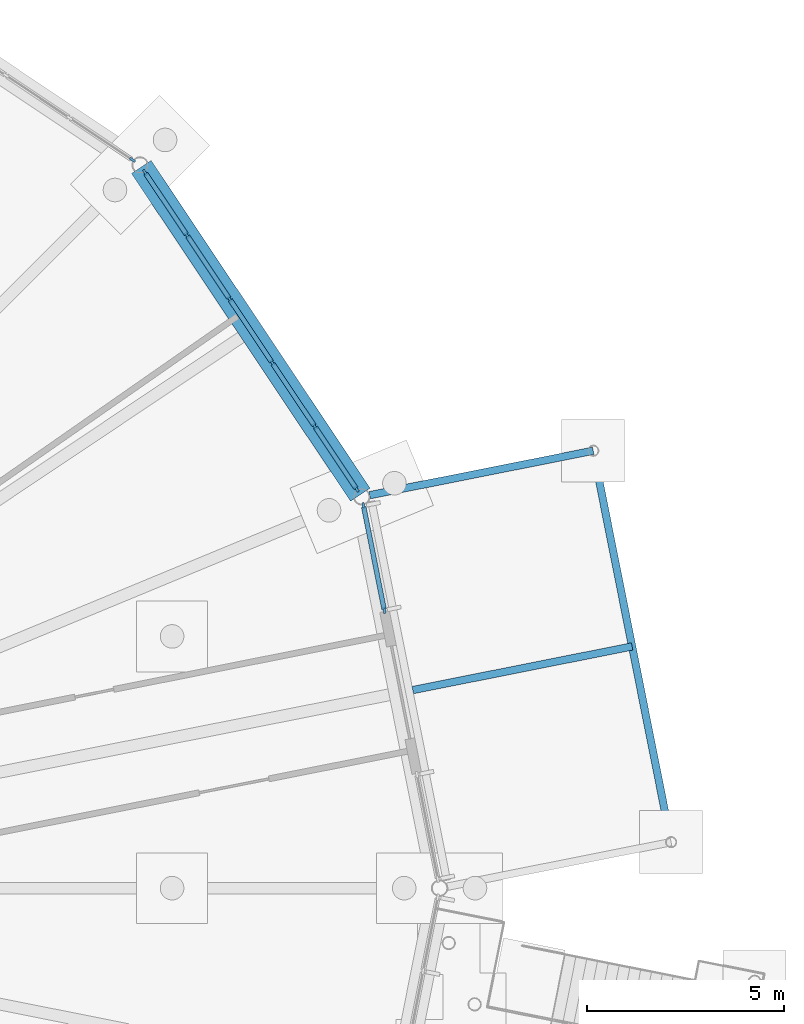
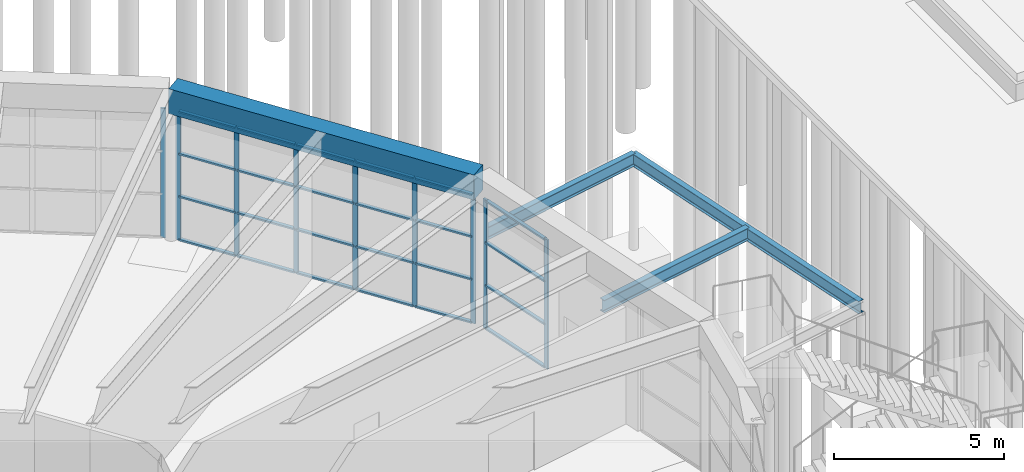
# One storey, part 99 of 226: 33 members, 4 beams, 3 elements without a shape of their own.
"""IFC4 building model written with IfcOpenShell, lengths in metres."""

import ifcopenshell
import ifcopenshell.guid

model = None  # the IFC model being written
_history = None  # IfcOwnerHistory: only IFC2X3 demands one
_inside = {}  # id of a spatial element -> (the spatial element, [elements in it])
_under = {}  # id of a project, library or spatial element -> (it, [spatial elements below it])
_declared = {}  # id of a project -> (the project, [libraries it declares])
_typed = {}  # id of a type object -> (the type object, [elements of that type])
_made_of = {}  # id of a material, layer set ... -> (it, [elements and type objects made of it])


def new_model(schema):
    """Start an empty IFC model of exactly this schema.

    Asked for "IFC4X3", IfcOpenShell would pick the latest addendum, in which some entities
    have other attributes; the version numbers below select the first issue.
    IFC2X3 requires an IfcOwnerHistory on every rooted entity: one is made here for all.
    """
    global model, _history
    if schema == "IFC4X3":
        model = ifcopenshell.file(schema_version=(4, 3, 0, 0))
    else:
        model = ifcopenshell.file(schema=schema)
    _inside.clear()
    _under.clear()
    _declared.clear()
    _typed.clear()
    _made_of.clear()
    _history = None
    if model.schema == "IFC2X3":
        org = make("IfcOrganization", Name="unknown")
        user = make(
            "IfcPersonAndOrganization",
            ThePerson=make("IfcPerson", FamilyName="unknown"),
            TheOrganization=org,
        )
        app = make(
            "IfcApplication",
            ApplicationDeveloper=org,
            Version="unknown",
            ApplicationFullName="unknown",
            ApplicationIdentifier="unknown",
        )
        _history = make(
            "IfcOwnerHistory",
            OwningUser=user,
            OwningApplication=app,
            ChangeAction="ADDED",
            CreationDate=0,
        )
    return model


def make(cls, **values):
    """One entity of the class cls with the attributes given. An attribute that is None is left unset."""
    return model.create_entity(
        cls, **{name: value for name, value in values.items() if value is not None}
    )


def rooted(cls, **values):
    """An entity with a GlobalId (a new one), such as an element, a storey or a relation."""
    return make(cls, GlobalId=ifcopenshell.guid.new(), OwnerHistory=_history, **values)


def si_unit(unit_type, name, prefix=None):
    """IfcSIUnit, for example si_unit("LENGTHUNIT", "METRE", prefix="MILLI")."""
    return make("IfcSIUnit", UnitType=unit_type, Prefix=prefix, Name=name)


def assignment(units):
    """IfcUnitAssignment: the units of a project."""
    return None if units is None else make("IfcUnitAssignment", Units=units)


def point(xyz):
    """IfcCartesianPoint."""
    return None if xyz is None else make("IfcCartesianPoint", Coordinates=xyz)


def direction(xyz):
    """IfcDirection."""
    return None if xyz is None else make("IfcDirection", DirectionRatios=xyz)


def frame(location, z_axis=None, x_axis=None):
    """IfcAxis2Placement3D, a coordinate frame: its origin and axes. An axis left out is left unset."""
    return make(
        "IfcAxis2Placement3D",
        Location=point(location),
        Axis=direction(z_axis),
        RefDirection=direction(x_axis),
    )


def frame_2d(location, x_axis=None):
    """IfcAxis2Placement2D, a coordinate frame in the plane: its origin and x axis."""
    return make(
        "IfcAxis2Placement2D", Location=point(location), RefDirection=direction(x_axis)
    )


def origin():
    """The frame at (0, 0, 0) with its axes left unset."""
    return frame((0.0, 0.0, 0.0))


def origin_2d():
    """The frame at (0, 0) in the plane with its x axis left unset."""
    return frame_2d((0.0, 0.0))


def place(relative_to, where):
    """IfcLocalPlacement: puts the frame where relative to a parent placement (None: the world)."""
    return make(
        "IfcLocalPlacement", PlacementRelTo=relative_to, RelativePlacement=where
    )


def context(
    kind, dimensions, precision=None, world=None, true_north=None, identifier=None
):
    """IfcGeometricRepresentationContext, for example the 3D "Model" context."""
    return make(
        "IfcGeometricRepresentationContext",
        ContextIdentifier=identifier,
        ContextType=kind,
        CoordinateSpaceDimension=dimensions,
        Precision=precision,
        WorldCoordinateSystem=world,
        TrueNorth=true_north,
    )


def subcontext(parent, identifier, kind, view, scale=None):
    """IfcGeometricRepresentationSubContext, for example "Body" below "Model"."""
    return make(
        "IfcGeometricRepresentationSubContext",
        ContextIdentifier=identifier,
        ContextType=kind,
        ParentContext=parent,
        TargetScale=scale,
        TargetView=view,
    )


def project(units=None, contexts=None):
    """IfcProject with its units and contexts."""
    return rooted(
        "IfcProject",
        Name="project",
        RepresentationContexts=contexts,
        UnitsInContext=assignment(units),
    )


def spatial(cls, under=None, at=None, **own):
    """A site, building, storey or space (cls), placed at a placement, below another one or the project."""
    s = rooted(cls, ObjectPlacement=at, **own)
    if under is not None:
        _under.setdefault(under.id(), (under, []))[1].append(s)
    return s


def profile(cls, at=None, kind="AREA", **sizes):
    """A parametric profile (cls). Its sizes go by their IFC names, for example OverallWidth=200.0."""
    return make(cls, ProfileType=kind, Position=at, **sizes)


def rectangle(**sizes):
    """IfcRectangleProfileDef."""
    return profile("IfcRectangleProfileDef", **sizes)


def i_section(**sizes):
    """IfcIShapeProfileDef."""
    return profile("IfcIShapeProfileDef", **sizes)


def extrude(swept, where, along, depth):
    """IfcExtrudedAreaSolid: the profile swept, set in the frame where, extruded along a direction by depth."""
    return make(
        "IfcExtrudedAreaSolid",
        SweptArea=swept,
        Position=where,
        ExtrudedDirection=direction(along),
        Depth=depth,
    )


def shape(context_of_items, identifier, shape_type, items):
    """IfcShapeRepresentation: the items that make up one representation, for example the "Body"."""
    return make(
        "IfcShapeRepresentation",
        ContextOfItems=context_of_items,
        RepresentationIdentifier=identifier,
        RepresentationType=shape_type,
        Items=items,
    )


def material(Name=None, Category=None):
    """IfcMaterial."""
    return make("IfcMaterial", Name=Name, Category=Category)


def material_profile(
    of_material, cross_section, Name=None, Category=None, Priority=None
):
    """IfcMaterialProfile: a cross section and its material."""
    return make(
        "IfcMaterialProfile",
        Name=Name,
        Material=of_material,
        Profile=cross_section,
        Priority=Priority,
        Category=Category,
    )


def profile_set(profiles, Name=None, composite=None):
    """IfcMaterialProfileSet."""
    return make(
        "IfcMaterialProfileSet",
        Name=Name,
        MaterialProfiles=profiles,
        CompositeProfile=composite,
    )


def made_of(thing, what):
    """Note that an element or type object is made of a material, layer set ...; save() writes the relation."""
    if what is not None:
        _made_of.setdefault(what.id(), (what, []))[1].append(thing)
    return thing


def type_object(cls, material=None, **own):
    """A type object (cls), such as IfcWallType, which elements share."""
    return made_of(rooted(cls, **own), material)


def element(
    cls,
    number,
    at=None,
    inside=None,
    cuts=None,
    type_object=None,
    material=None,
    context=None,
    identifier="Body",
    shape_type=None,
    held_by="IfcProductDefinitionShape",
    body=None,
    shapes=None,
    **own,
):
    """One element of the class cls, such as IfcWall. Its Tag is "e" and its number.

    at: its placement. inside: the storey or other place that contains it. cuts: it is an
    opening in that element (IfcRelVoidsElement). A single representation is given by context,
    identifier, shape_type and body (its items); several are given by shapes. held_by: the class
    of the entity that holds the representations. save() writes the other relations.
    """
    e = rooted(cls, Tag="e%d" % number, ObjectPlacement=at, **own)
    if body is not None:
        shapes = [shape(context, identifier, shape_type, body)]
    if shapes is not None:
        e.Representation = make(held_by, Representations=shapes)
    if inside is not None:
        _inside.setdefault(inside.id(), (inside, []))[1].append(e)
    if cuts is not None:
        rooted(
            "IfcRelVoidsElement", RelatingBuildingElement=cuts, RelatedOpeningElement=e
        )
    if type_object is not None:
        _typed.setdefault(type_object.id(), (type_object, []))[1].append(e)
    return made_of(e, material)


def aggregate(whole, parts):
    """IfcRelAggregates: a whole, such as a stair, and the parts it consists of."""
    return rooted("IfcRelAggregates", RelatingObject=whole, RelatedObjects=parts)


def save(model, path):
    """Write the relations noted so far, then the file.

    IfcRelAggregates (storeys below a building ...), IfcRelContainedInSpatialStructure (elements
    in a storey), IfcRelDefinesByType, IfcRelAssociatesMaterial and IfcRelDeclares: one each for
    every whole, place, type object, material and project.
    """
    for whole, parts in _under.values():
        aggregate(whole, parts)
    for where, things in _inside.values():
        rooted(
            "IfcRelContainedInSpatialStructure",
            RelatedElements=things,
            RelatingStructure=where,
        )
    for kind, things in _typed.values():
        rooted("IfcRelDefinesByType", RelatedObjects=things, RelatingType=kind)
    for what, things in _made_of.values():
        rooted("IfcRelAssociatesMaterial", RelatedObjects=things, RelatingMaterial=what)
    for by, libraries in _declared.values():
        rooted("IfcRelDeclares", RelatingContext=by, RelatedDefinitions=libraries)
    model.write(path)


model = new_model("IFC4")

# Units and contexts
model_context = context("Model", 3, precision=1e-05, world=origin(), true_north=direction((0.0, 1.0)))
body_context = subcontext(model_context, "Body", "Model", "MODEL_VIEW")
ifc_project = project(units=[si_unit("LENGTHUNIT", "METRE"), si_unit("AREAUNIT", "SQUARE_METRE"), si_unit("VOLUMEUNIT", "CUBIC_METRE"), si_unit("PLANEANGLEUNIT", "RADIAN"), si_unit("MASSUNIT", "GRAM", prefix="KILO")], contexts=[model_context])

# Site, building, storey
site_placement = place(None, origin())
site = spatial("IfcSite", under=ifc_project, at=site_placement, CompositionType="ELEMENT")
building_placement = place(site_placement, origin())
building = spatial("IfcBuilding", under=site, at=building_placement, Name="Ceibo Conservatory and Research Tower", CompositionType="ELEMENT")
storey_placement = place(building_placement, origin())
storey = spatial("IfcBuildingStorey", under=building, at=storey_placement, Name="L00", CompositionType="ELEMENT", Elevation=0.0)

# Curtain wall, members
ifc_material_1 = material(Name="Aluminium and glass", Category="aluminium")
curtain_wall_type = type_object("IfcCurtainWallType", Name="Pavilion curtain wall", PredefinedType="NOTDEFINED", material=ifc_material_1)
curtain_wall_1_placement = place(storey_placement, origin())
curtain_wall_1 = element("IfcCurtainWall", 1, at=curtain_wall_1_placement, inside=storey, type_object=curtain_wall_type, Name="Pavilion curtain wall VC-CW01E", PredefinedType="NOTDEFINED")
ifc_material_2 = material(Name="Aluminium", Category="aluminium")
ifc_material_profile_1 = material_profile(ifc_material_2, rectangle(XDim=0.06005859375, YDim=0.159912109375, at=origin_2d()), Name="AL 60x160")
ifc_profile_set_1 = profile_set([ifc_material_profile_1], Name="Aluminium")
member_type_1 = type_object("IfcMemberType", Name="Pavilion mullion 60x160", PredefinedType="MULLION", material=ifc_profile_set_1)
member_1_placement = place(storey_placement, frame((192.594970703125, 43.06396484375, 0.0), z_axis=(0.0, 0.0, 1.0), x_axis=(-0.980785282416, -0.195090311899, 0.0)))
member_1 = element("IfcMember", 2, at=member_1_placement, type_object=member_type_1, Name="VC-CW01E mullion 1", PredefinedType="MULLION", context=body_context, shape_type="SweptSolid", body=[
    extrude(rectangle(XDim=0.06005859375, YDim=0.159912109375, at=origin_2d()), origin(), (0.0, 0.0, 1.0), 4.64892578125),
])
member_2_placement = place(storey_placement, frame((192.06640625, 45.720947265625, 0.0), z_axis=(0.0, 0.0, 1.0), x_axis=(-0.980785282416, -0.195090311899, 0.0)))
member_2 = element("IfcMember", 3, at=member_2_placement, type_object=member_type_1, Name="VC-CW01E mullion 2", PredefinedType="MULLION", context=body_context, shape_type="SweptSolid", body=[
    extrude(rectangle(XDim=0.06005859375, YDim=0.159912109375, at=origin_2d()), origin(), (0.0, 0.0, 1.0), 4.64892578125),
])

curtain_wall_2_placement = place(storey_placement, origin())
curtain_wall_2 = element("IfcCurtainWall", 4, at=curtain_wall_2_placement, inside=storey, type_object=curtain_wall_type, Name="Pavilion curtain wall VC-CW02", PredefinedType="NOTDEFINED")
member_3_placement = place(storey_placement, frame((191.891357421875, 46.1435546875, 0.0), z_axis=(0.0, 0.0, 1.0), x_axis=(-0.831469588992, -0.555570267906, 0.0)))
member_3 = element("IfcMember", 5, at=member_3_placement, type_object=member_type_1, Name="VC-CW02 mullion 1", PredefinedType="MULLION", context=body_context, shape_type="SweptSolid", body=[
    extrude(rectangle(XDim=0.06005859375, YDim=0.159912109375, at=origin_2d()), origin(), (0.0, 0.0, 1.0), 4.64892578125),
])
member_4_placement = place(storey_placement, frame((190.825927734375, 47.738037109375, 0.0), z_axis=(0.0, 0.0, 1.0), x_axis=(-0.831469588992, -0.555570267906, 0.0)))
member_4 = element("IfcMember", 6, at=member_4_placement, type_object=member_type_1, Name="VC-CW02 mullion 2", PredefinedType="MULLION", context=body_context, shape_type="SweptSolid", body=[
    extrude(rectangle(XDim=0.06005859375, YDim=0.159912109375, at=origin_2d()), origin(), (0.0, 0.0, 1.0), 4.64892578125),
])
member_5_placement = place(storey_placement, frame((189.743896484375, 49.357666015625, 0.0), z_axis=(0.0, 0.0, 1.0), x_axis=(-0.831469588992, -0.555570267906, 0.0)))
member_5 = element("IfcMember", 7, at=member_5_placement, type_object=member_type_1, Name="VC-CW02 mullion 3", PredefinedType="MULLION", context=body_context, shape_type="SweptSolid", body=[
    extrude(rectangle(XDim=0.06005859375, YDim=0.159912109375, at=origin_2d()), origin(), (0.0, 0.0, 1.0), 4.64892578125),
])
member_6_placement = place(storey_placement, frame((188.661865234375, 50.97705078125, 0.0), z_axis=(0.0, 0.0, 1.0), x_axis=(-0.831469588992, -0.555570267906, 0.0)))
member_6 = element("IfcMember", 8, at=member_6_placement, type_object=member_type_1, Name="VC-CW02 mullion 4", PredefinedType="MULLION", context=body_context, shape_type="SweptSolid", body=[
    extrude(rectangle(XDim=0.06005859375, YDim=0.159912109375, at=origin_2d()), origin(), (0.0, 0.0, 1.0), 4.64892578125),
])
member_7_placement = place(storey_placement, frame((187.579833984375, 52.596435546875, 0.0), z_axis=(0.0, 0.0, 1.0), x_axis=(-0.831469588992, -0.555570267906, 0.0)))
member_7 = element("IfcMember", 9, at=member_7_placement, type_object=member_type_1, Name="VC-CW02 mullion 5", PredefinedType="MULLION", context=body_context, shape_type="SweptSolid", body=[
    extrude(rectangle(XDim=0.06005859375, YDim=0.159912109375, at=origin_2d()), origin(), (0.0, 0.0, 1.0), 4.64892578125),
])
member_8_placement = place(storey_placement, frame((186.514404296875, 54.19091796875, 0.0), z_axis=(0.0, 0.0, 1.0), x_axis=(-0.831469588992, -0.555570267906, 0.0)))
member_8 = element("IfcMember", 10, at=member_8_placement, type_object=member_type_1, Name="VC-CW02 mullion 6", PredefinedType="MULLION", context=body_context, shape_type="SweptSolid", body=[
    extrude(rectangle(XDim=0.06005859375, YDim=0.159912109375, at=origin_2d()), origin(), (0.0, 0.0, 1.0), 4.64892578125),
])

# Curtain wall, member
curtain_wall_3_placement = place(storey_placement, origin())
curtain_wall_3 = element("IfcCurtainWall", 11, at=curtain_wall_3_placement, inside=storey, type_object=curtain_wall_type, Name="Pavilion curtain wall VC-CW03", PredefinedType="NOTDEFINED")
member_9_placement = place(storey_placement, frame((186.19091796875, 54.514404296875, 0.0), z_axis=(0.0, 0.0, 1.0), x_axis=(-0.555570267906, -0.831469588992, 0.0)))
member_9 = element("IfcMember", 12, at=member_9_placement, type_object=member_type_1, Name="VC-CW03 mullion 1", PredefinedType="MULLION", context=body_context, shape_type="SweptSolid", body=[
    extrude(rectangle(XDim=0.06005859375, YDim=0.159912109375, at=origin_2d()), origin(), (0.0, 0.0, 1.0), 4.64892578125),
])
aggregate(curtain_wall_3, [member_9])

# Member
ifc_material_profile_2 = material_profile(ifc_material_2, rectangle(XDim=0.1201171875, YDim=0.06005859375, at=origin_2d()), Name="AL 60x120")
ifc_profile_set_2 = profile_set([ifc_material_profile_2], Name="Aluminium")
member_type_2 = type_object("IfcMemberType", Name="Pavilion transom 60x120", PredefinedType="USERDEFINED", material=ifc_profile_set_2)
member_10_placement = place(storey_placement, frame((192.589111328125, 43.09326171875, 0.030029296875), z_axis=(-0.195088165617, 0.980785709335, 0.0), x_axis=(-0.980785709335, -0.195088165617, 0.0)))
member_10 = element("IfcMember", 13, at=member_10_placement, type_object=member_type_2, Name="VC-CW01E transom 1.1", ObjectType="TRANSOM", PredefinedType="USERDEFINED", context=body_context, shape_type="SweptSolid", body=[
    extrude(rectangle(XDim=0.1201171875, YDim=0.06005859375, at=origin_2d()), origin(), (0.0, 0.0, 1.0), 2.6494140625),
])

member_11_placement = place(storey_placement, frame((192.589111328125, 43.09326171875, 1.5810546875), z_axis=(-0.195088165617, 0.980785709335, 0.0), x_axis=(-0.980785709335, -0.195088165617, 0.0)))
member_11 = element("IfcMember", 14, at=member_11_placement, type_object=member_type_2, Name="VC-CW01E transom 1.2", ObjectType="TRANSOM", PredefinedType="USERDEFINED", context=body_context, shape_type="SweptSolid", body=[
    extrude(rectangle(XDim=0.1201171875, YDim=0.06005859375, at=origin_2d()), origin(), (0.0, 0.0, 1.0), 2.6494140625),
])

member_12_placement = place(storey_placement, frame((192.589111328125, 43.09326171875, 3.114990234375), z_axis=(-0.195088165617, 0.980785709335, 0.0), x_axis=(-0.980785709335, -0.195088165617, 0.0)))
member_12 = element("IfcMember", 15, at=member_12_placement, type_object=member_type_2, Name="VC-CW01E transom 1.3", ObjectType="TRANSOM", PredefinedType="USERDEFINED", context=body_context, shape_type="SweptSolid", body=[
    extrude(rectangle(XDim=0.1201171875, YDim=0.06005859375, at=origin_2d()), origin(), (0.0, 0.0, 1.0), 2.6494140625),
])

member_13_placement = place(storey_placement, frame((192.589111328125, 43.09326171875, 4.618896484375), z_axis=(-0.195088165617, 0.980785709335, 0.0), x_axis=(-0.980785709335, -0.195088165617, 0.0)))
member_13 = element("IfcMember", 16, at=member_13_placement, type_object=member_type_2, Name="VC-CW01E transom 1.4", ObjectType="TRANSOM", PredefinedType="USERDEFINED", context=body_context, shape_type="SweptSolid", body=[
    extrude(rectangle(XDim=0.1201171875, YDim=0.06005859375, at=origin_2d()), origin(), (0.0, 0.0, 1.0), 2.6494140625),
])

aggregate(curtain_wall_1, [member_1, member_2, member_10, member_11, member_12, member_13])

member_14_placement = place(storey_placement, frame((191.874755859375, 46.168701171875, 0.030029296875), z_axis=(-0.555670351469, 0.831402706574, 0.0), x_axis=(-0.831402706574, -0.555670351469, 0.0)))
member_14 = element("IfcMember", 17, at=member_14_placement, type_object=member_type_2, Name="VC-CW02 transom 1.1", ObjectType="TRANSOM", PredefinedType="USERDEFINED", context=body_context, shape_type="SweptSolid", body=[
    extrude(rectangle(XDim=0.1201171875, YDim=0.06005859375, at=origin_2d()), origin(), (0.0, 0.0, 1.0), 1.857666015625),
])

member_15_placement = place(storey_placement, frame((191.874755859375, 46.168701171875, 1.5810546875), z_axis=(-0.555670351469, 0.831402706574, 0.0), x_axis=(-0.831402706574, -0.555670351469, 0.0)))
member_15 = element("IfcMember", 18, at=member_15_placement, type_object=member_type_2, Name="VC-CW02 transom 1.2", ObjectType="TRANSOM", PredefinedType="USERDEFINED", context=body_context, shape_type="SweptSolid", body=[
    extrude(rectangle(XDim=0.1201171875, YDim=0.06005859375, at=origin_2d()), origin(), (0.0, 0.0, 1.0), 1.857666015625),
])

member_16_placement = place(storey_placement, frame((191.874755859375, 46.168701171875, 3.114990234375), z_axis=(-0.555670351469, 0.831402706574, 0.0), x_axis=(-0.831402706574, -0.555670351469, 0.0)))
member_16 = element("IfcMember", 19, at=member_16_placement, type_object=member_type_2, Name="VC-CW02 transom 1.3", ObjectType="TRANSOM", PredefinedType="USERDEFINED", context=body_context, shape_type="SweptSolid", body=[
    extrude(rectangle(XDim=0.1201171875, YDim=0.06005859375, at=origin_2d()), origin(), (0.0, 0.0, 1.0), 1.857666015625),
])

member_17_placement = place(storey_placement, frame((191.874755859375, 46.168701171875, 4.618896484375), z_axis=(-0.555670351469, 0.831402706574, 0.0), x_axis=(-0.831402706574, -0.555670351469, 0.0)))
member_17 = element("IfcMember", 20, at=member_17_placement, type_object=member_type_2, Name="VC-CW02 transom 1.4", ObjectType="TRANSOM", PredefinedType="USERDEFINED", context=body_context, shape_type="SweptSolid", body=[
    extrude(rectangle(XDim=0.1201171875, YDim=0.06005859375, at=origin_2d()), origin(), (0.0, 0.0, 1.0), 1.857666015625),
])

member_18_placement = place(storey_placement, frame((190.809326171875, 47.76318359375, 0.030029296875), z_axis=(-0.555654974661, 0.831412983501, 0.0), x_axis=(-0.831412983501, -0.555654974661, 0.0)))
member_18 = element("IfcMember", 21, at=member_18_placement, type_object=member_type_2, Name="VC-CW02 transom 2.1", ObjectType="TRANSOM", PredefinedType="USERDEFINED", context=body_context, shape_type="SweptSolid", body=[
    extrude(rectangle(XDim=0.1201171875, YDim=0.06005859375, at=origin_2d()), origin(), (0.0, 0.0, 1.0), 1.887451171875),
])

member_19_placement = place(storey_placement, frame((190.809326171875, 47.76318359375, 1.5810546875), z_axis=(-0.555654974661, 0.831412983501, 0.0), x_axis=(-0.831412983501, -0.555654974661, 0.0)))
member_19 = element("IfcMember", 22, at=member_19_placement, type_object=member_type_2, Name="VC-CW02 transom 2.2", ObjectType="TRANSOM", PredefinedType="USERDEFINED", context=body_context, shape_type="SweptSolid", body=[
    extrude(rectangle(XDim=0.1201171875, YDim=0.06005859375, at=origin_2d()), origin(), (0.0, 0.0, 1.0), 1.887451171875),
])

member_20_placement = place(storey_placement, frame((190.809326171875, 47.76318359375, 3.114990234375), z_axis=(-0.555654974661, 0.831412983501, 0.0), x_axis=(-0.831412983501, -0.555654974661, 0.0)))
member_20 = element("IfcMember", 23, at=member_20_placement, type_object=member_type_2, Name="VC-CW02 transom 2.3", ObjectType="TRANSOM", PredefinedType="USERDEFINED", context=body_context, shape_type="SweptSolid", body=[
    extrude(rectangle(XDim=0.1201171875, YDim=0.06005859375, at=origin_2d()), origin(), (0.0, 0.0, 1.0), 1.887451171875),
])

member_21_placement = place(storey_placement, frame((190.809326171875, 47.76318359375, 4.618896484375), z_axis=(-0.555654974661, 0.831412983501, 0.0), x_axis=(-0.831412983501, -0.555654974661, 0.0)))
member_21 = element("IfcMember", 24, at=member_21_placement, type_object=member_type_2, Name="VC-CW02 transom 2.4", ObjectType="TRANSOM", PredefinedType="USERDEFINED", context=body_context, shape_type="SweptSolid", body=[
    extrude(rectangle(XDim=0.1201171875, YDim=0.06005859375, at=origin_2d()), origin(), (0.0, 0.0, 1.0), 1.887451171875),
])

member_22_placement = place(storey_placement, frame((189.727294921875, 49.382568359375, 0.030029296875), z_axis=(-0.555595226207, 0.831452911845, 0.0), x_axis=(-0.831452911845, -0.555595226207, 0.0)))
member_22 = element("IfcMember", 25, at=member_22_placement, type_object=member_type_2, Name="VC-CW02 transom 3.1", ObjectType="TRANSOM", PredefinedType="USERDEFINED", context=body_context, shape_type="SweptSolid", body=[
    extrude(rectangle(XDim=0.1201171875, YDim=0.06005859375, at=origin_2d()), origin(), (0.0, 0.0, 1.0), 1.8876953125),
])

member_23_placement = place(storey_placement, frame((189.727294921875, 49.382568359375, 1.5810546875), z_axis=(-0.555595226207, 0.831452911845, 0.0), x_axis=(-0.831452911845, -0.555595226207, 0.0)))
member_23 = element("IfcMember", 26, at=member_23_placement, type_object=member_type_2, Name="VC-CW02 transom 3.2", ObjectType="TRANSOM", PredefinedType="USERDEFINED", context=body_context, shape_type="SweptSolid", body=[
    extrude(rectangle(XDim=0.1201171875, YDim=0.06005859375, at=origin_2d()), origin(), (0.0, 0.0, 1.0), 1.8876953125),
])

member_24_placement = place(storey_placement, frame((189.727294921875, 49.382568359375, 3.114990234375), z_axis=(-0.555595226207, 0.831452911845, 0.0), x_axis=(-0.831452911845, -0.555595226207, 0.0)))
member_24 = element("IfcMember", 27, at=member_24_placement, type_object=member_type_2, Name="VC-CW02 transom 3.3", ObjectType="TRANSOM", PredefinedType="USERDEFINED", context=body_context, shape_type="SweptSolid", body=[
    extrude(rectangle(XDim=0.1201171875, YDim=0.06005859375, at=origin_2d()), origin(), (0.0, 0.0, 1.0), 1.8876953125),
])

member_25_placement = place(storey_placement, frame((189.727294921875, 49.382568359375, 4.618896484375), z_axis=(-0.555595226207, 0.831452911845, 0.0), x_axis=(-0.831452911845, -0.555595226207, 0.0)))
member_25 = element("IfcMember", 28, at=member_25_placement, type_object=member_type_2, Name="VC-CW02 transom 3.4", ObjectType="TRANSOM", PredefinedType="USERDEFINED", context=body_context, shape_type="SweptSolid", body=[
    extrude(rectangle(XDim=0.1201171875, YDim=0.06005859375, at=origin_2d()), origin(), (0.0, 0.0, 1.0), 1.8876953125),
])

member_26_placement = place(storey_placement, frame((188.64501953125, 51.001953125, 0.030029296875), z_axis=(-0.555505809977, 0.831512654794, 0.0), x_axis=(-0.831512654794, -0.555505809977, 0.0)))
member_26 = element("IfcMember", 29, at=member_26_placement, type_object=member_type_2, Name="VC-CW02 transom 4.1", ObjectType="TRANSOM", PredefinedType="USERDEFINED", context=body_context, shape_type="SweptSolid", body=[
    extrude(rectangle(XDim=0.1201171875, YDim=0.06005859375, at=origin_2d()), origin(), (0.0, 0.0, 1.0), 1.8876953125),
])

member_27_placement = place(storey_placement, frame((188.64501953125, 51.001953125, 1.5810546875), z_axis=(-0.555505809977, 0.831512654794, 0.0), x_axis=(-0.831512654794, -0.555505809977, 0.0)))
member_27 = element("IfcMember", 30, at=member_27_placement, type_object=member_type_2, Name="VC-CW02 transom 4.2", ObjectType="TRANSOM", PredefinedType="USERDEFINED", context=body_context, shape_type="SweptSolid", body=[
    extrude(rectangle(XDim=0.1201171875, YDim=0.06005859375, at=origin_2d()), origin(), (0.0, 0.0, 1.0), 1.8876953125),
])

member_28_placement = place(storey_placement, frame((188.64501953125, 51.001953125, 3.114990234375), z_axis=(-0.555505809977, 0.831512654794, 0.0), x_axis=(-0.831512654794, -0.555505809977, 0.0)))
member_28 = element("IfcMember", 31, at=member_28_placement, type_object=member_type_2, Name="VC-CW02 transom 4.3", ObjectType="TRANSOM", PredefinedType="USERDEFINED", context=body_context, shape_type="SweptSolid", body=[
    extrude(rectangle(XDim=0.1201171875, YDim=0.06005859375, at=origin_2d()), origin(), (0.0, 0.0, 1.0), 1.8876953125),
])

member_29_placement = place(storey_placement, frame((188.64501953125, 51.001953125, 4.618896484375), z_axis=(-0.555505809977, 0.831512654794, 0.0), x_axis=(-0.831512654794, -0.555505809977, 0.0)))
member_29 = element("IfcMember", 32, at=member_29_placement, type_object=member_type_2, Name="VC-CW02 transom 4.4", ObjectType="TRANSOM", PredefinedType="USERDEFINED", context=body_context, shape_type="SweptSolid", body=[
    extrude(rectangle(XDim=0.1201171875, YDim=0.06005859375, at=origin_2d()), origin(), (0.0, 0.0, 1.0), 1.8876953125),
])

member_30_placement = place(storey_placement, frame((187.56298828125, 52.621337890625, 0.030029296875), z_axis=(-0.555518784793, 0.831503986606, 0.0), x_axis=(-0.831503986606, -0.555518784793, 0.0)))
member_30 = element("IfcMember", 33, at=member_30_placement, type_object=member_type_2, Name="VC-CW02 transom 5.1", ObjectType="TRANSOM", PredefinedType="USERDEFINED", context=body_context, shape_type="SweptSolid", body=[
    extrude(rectangle(XDim=0.1201171875, YDim=0.06005859375, at=origin_2d()), origin(), (0.0, 0.0, 1.0), 1.857666015625),
])

member_31_placement = place(storey_placement, frame((187.56298828125, 52.621337890625, 1.5810546875), z_axis=(-0.555518784793, 0.831503986606, 0.0), x_axis=(-0.831503986606, -0.555518784793, 0.0)))
member_31 = element("IfcMember", 34, at=member_31_placement, type_object=member_type_2, Name="VC-CW02 transom 5.2", ObjectType="TRANSOM", PredefinedType="USERDEFINED", context=body_context, shape_type="SweptSolid", body=[
    extrude(rectangle(XDim=0.1201171875, YDim=0.06005859375, at=origin_2d()), origin(), (0.0, 0.0, 1.0), 1.857666015625),
])

member_32_placement = place(storey_placement, frame((187.56298828125, 52.621337890625, 3.114990234375), z_axis=(-0.555518784793, 0.831503986606, 0.0), x_axis=(-0.831503986606, -0.555518784793, 0.0)))
member_32 = element("IfcMember", 35, at=member_32_placement, type_object=member_type_2, Name="VC-CW02 transom 5.3", ObjectType="TRANSOM", PredefinedType="USERDEFINED", context=body_context, shape_type="SweptSolid", body=[
    extrude(rectangle(XDim=0.1201171875, YDim=0.06005859375, at=origin_2d()), origin(), (0.0, 0.0, 1.0), 1.857666015625),
])

member_33_placement = place(storey_placement, frame((187.56298828125, 52.621337890625, 4.618896484375), z_axis=(-0.555518784793, 0.831503986606, 0.0), x_axis=(-0.831503986606, -0.555518784793, 0.0)))
member_33 = element("IfcMember", 36, at=member_33_placement, type_object=member_type_2, Name="VC-CW02 transom 5.4", ObjectType="TRANSOM", PredefinedType="USERDEFINED", context=body_context, shape_type="SweptSolid", body=[
    extrude(rectangle(XDim=0.1201171875, YDim=0.06005859375, at=origin_2d()), origin(), (0.0, 0.0, 1.0), 1.857666015625),
])

aggregate(curtain_wall_2, [member_3, member_4, member_5, member_6, member_7, member_8, member_14, member_15, member_16, member_17, member_18, member_19, member_20, member_21, member_22, member_23, member_24, member_25, member_26, member_27, member_28, member_29, member_30, member_31, member_32, member_33])

# Beams
ifc_material_3 = material(Name="Concrete C35/45", Category="concrete")
ifc_material_profile_3 = material_profile(ifc_material_3, rectangle(XDim=0.60009765625, YDim=0.89990234375, at=origin_2d()), Name="RC 600x900")
ifc_profile_set_3 = profile_set([ifc_material_profile_3], Name="Concrete C35/45")
beam_type_1 = type_object("IfcBeamType", Name="RC ring beam 600x900", PredefinedType="BEAM", material=ifc_profile_set_3)
beam_1_placement = place(storey_placement, frame((191.986572265625, 46.0009765625, 5.09912109375), z_axis=(-0.555571295566, 0.831468902331, 0.0), x_axis=(-0.831468902331, -0.555571295566, 0.0)))
element("IfcBeam", 37, at=beam_1_placement, inside=storey, type_object=beam_type_1, Name="Pavilion ring beam VC-RB02", PredefinedType="BEAM", context=body_context, shape_type="SweptSolid", body=[
    extrude(rectangle(XDim=0.60009765625, YDim=0.89990234375, at=origin_2d()), origin(), (0.0, 0.0, 1.0), 10.021484375),
])
ifc_material_4 = material(Name="Steel S355J2", Category="steel")
ifc_material_profile_4 = material_profile(ifc_material_4, i_section(OverallWidth=0.18994140625, OverallDepth=0.449951171875, WebThickness=0.009521484375, FlangeThickness=0.0146484375, FilletRadius=0.02099609375, at=origin_2d()), Name="IPE 450")
ifc_profile_set_4 = profile_set([ifc_material_profile_4], Name="Steel S355J2")
beam_type_2 = type_object("IfcBeamType", Name="canopy beam IPE 450", PredefinedType="BEAM", material=ifc_profile_set_4)
beam_2_placement = place(storey_placement, frame((199.884765625, 37.170654296875, 3.22412109375), z_axis=(-0.19510248453, 0.98078286105, 0.0), x_axis=(-0.98078286105, -0.19510248453, 0.0)))
element("IfcBeam", 38, at=beam_2_placement, inside=storey, type_object=beam_type_2, Name="Canopy edge beam East", PredefinedType="BEAM", context=body_context, shape_type="SweptSolid", body=[
    extrude(i_section(OverallWidth=0.18994140625, OverallDepth=0.449951171875, WebThickness=0.009521484375, FlangeThickness=0.0146484375, FilletRadius=0.02099609375, at=origin_2d()), origin(), (0.0, 0.0, 1.0), 10.144775390625),
])
beam_3_placement = place(storey_placement, frame((197.905517578125, 47.120361328125, 3.22412109375), z_axis=(-0.980785863043, -0.195087392864, 0.0), x_axis=(0.195087392864, -0.980785863043, 0.0)))
element("IfcBeam", 39, at=beam_3_placement, inside=storey, type_object=beam_type_2, Name="Canopy rafter East 2", PredefinedType="BEAM", context=body_context, shape_type="SweptSolid", body=[
    extrude(i_section(OverallWidth=0.18994140625, OverallDepth=0.449951171875, WebThickness=0.009521484375, FlangeThickness=0.0146484375, FilletRadius=0.02099609375, at=origin_2d()), origin(), (0.0, 0.0, 1.0), 5.796630859375),
])
beam_4_placement = place(storey_placement, frame((193.3193359375, 41.036376953125, 3.22412109375), z_axis=(0.9807849481, 0.19509199261, 0.0), x_axis=(-0.19509199261, 0.9807849481, 0.0)))
element("IfcBeam", 40, at=beam_4_placement, inside=storey, type_object=beam_type_2, Name="Canopy rafter East 3", PredefinedType="BEAM", context=body_context, shape_type="SweptSolid", body=[
    extrude(i_section(OverallWidth=0.18994140625, OverallDepth=0.449951171875, WebThickness=0.009521484375, FlangeThickness=0.0146484375, FilletRadius=0.02099609375, at=origin_2d()), origin(), (0.0, 0.0, 1.0), 5.68505859375),
])

save(model, "model.ifc")
